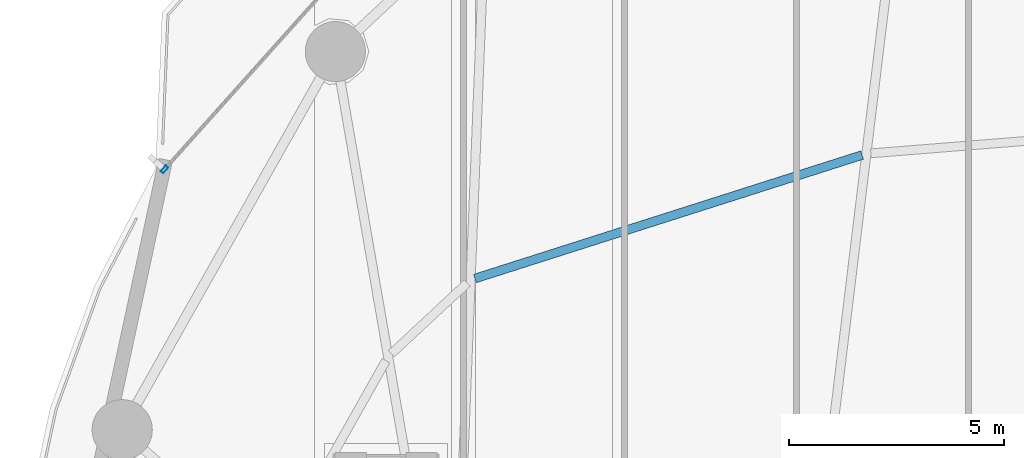
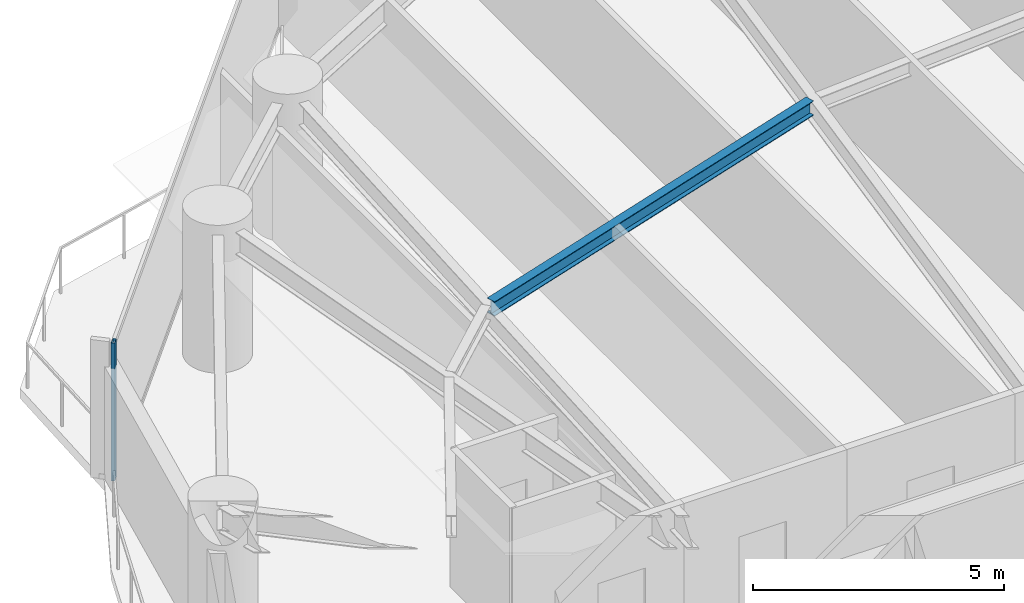
# One storey, part 17 of 31: 1 beam, 1 member, 1 element without a shape of its own.
"""IFC4 building model written with IfcOpenShell, lengths in metres."""

from ifc_helpers import new_model, si_unit, direction, frame, origin, origin_2d, place, context, subcontext, project, spatial, hollow_rectangle, i_section, extrude, material, layer, layer_set, material_profile, profile_set, type_object, element, aggregate, save


model = new_model("IFC4")

# Units and contexts
model_context = context("Model", 3, precision=1e-05, world=origin(), true_north=direction((0.0, 1.0)))
body_context = subcontext(model_context, "Body", "Model", "MODEL_VIEW")
ifc_project = project(units=[si_unit("LENGTHUNIT", "METRE"), si_unit("AREAUNIT", "SQUARE_METRE"), si_unit("VOLUMEUNIT", "CUBIC_METRE"), si_unit("PLANEANGLEUNIT", "RADIAN"), si_unit("MASSUNIT", "GRAM", prefix="KILO")], contexts=[model_context])

# Site, building, storey
site_placement = place(None, origin())
site = spatial("IfcSite", under=ifc_project, at=site_placement, CompositionType="ELEMENT")
building_placement = place(site_placement, origin())
building = spatial("IfcBuilding", under=site, at=building_placement, Name="Kazevale Care Tower and Concert Hall", CompositionType="ELEMENT")
storey_placement = place(building_placement, frame((0.0, 0.0, 78.0)))
storey = spatial("IfcBuildingStorey", under=building, at=storey_placement, Name="L20", CompositionType="ELEMENT", Elevation=78.0)

# Curtain wall, member
ifc_material_1 = material(Name="Aluminium 6063-T6 and Low-E Glass", Category="aluminium")
ifc_layer = layer(ifc_material_1, 0.179931640625)
ifc_layer_set = layer_set([ifc_layer], Name="Aluminium 6063-T6 and Low-E Glass")
curtain_wall_type = type_object("IfcCurtainWallType", Name="Convex Checkerboard Finned Curtain Wall CW-2", PredefinedType="NOTDEFINED", material=ifc_layer_set)
curtain_wall_placement = place(storey_placement, origin())
curtain_wall = element("IfcCurtainWall", 1, at=curtain_wall_placement, inside=storey, type_object=curtain_wall_type, Name="cw:L20:f14", PredefinedType="NOTDEFINED")
ifc_material_2 = material(Name="Aluminium 6063-T6", Category="aluminium")
ifc_material_profile_1 = material_profile(ifc_material_2, hollow_rectangle(XDim=0.080078125, YDim=0.179931640625, WallThickness=0.0048828125, at=origin_2d()), Name="ALU80x180x5")
ifc_profile_set_1 = profile_set([ifc_material_profile_1], Name="Aluminium 6063-T6")
member_type = type_object("IfcMemberType", Name="CW-2 Mullion ALU80x180x5", PredefinedType="MULLION", material=ifc_profile_set_1)
member_placement = place(storey_placement, frame((15.292724609375, 49.436767578125, 0.0), z_axis=(0.0, 0.0, 1.0), x_axis=(-0.744820476493, 0.667264908262, 0.0)))
member = element("IfcMember", 2, at=member_placement, type_object=member_type, Name="CW-2 mullion 1", PredefinedType="MULLION", context=body_context, shape_type="SweptSolid", body=[
    extrude(hollow_rectangle(XDim=0.080078125, YDim=0.179931640625, WallThickness=0.0048828125, at=origin_2d()), origin(), (0.0, 0.0, 1.0), 3.360107421875),
])
aggregate(curtain_wall, [member])

# Beam
ifc_material_3 = material(Name="Steel ASTM A572 Gr 50", Category="steel")
ifc_material_profile_2 = material_profile(ifc_material_3, i_section(OverallWidth=0.205078125, OverallDepth=0.35400390625, WebThickness=0.009521484375, FlangeThickness=0.016845703125, at=origin_2d()), Name="W360x79")
ifc_profile_set_2 = profile_set([ifc_material_profile_2], Name="Steel ASTM A572 Gr 50")
beam_type = type_object("IfcBeamType", Name="Secondary Floor Joist W360x79", PredefinedType="JOIST", material=ifc_profile_set_2)
beam_placement = place(storey_placement, frame((31.528076171875, 49.77197265625, 3.18310546875), z_axis=(-0.9527054955, -0.303895111584, 0.0), x_axis=(0.303895111584, -0.9527054955, 0.0)))
element("IfcBeam", 3, at=beam_placement, inside=storey, type_object=beam_type, Name="beam:L20:joist:06", PredefinedType="JOIST", context=body_context, shape_type="SweptSolid", body=[
    extrude(i_section(OverallWidth=0.205078125, OverallDepth=0.35400390625, WebThickness=0.009521484375, FlangeThickness=0.016845703125, at=origin_2d()), origin(), (0.0, 0.0, 1.0), 9.457275390625),
])

save(model, "model.ifc")
